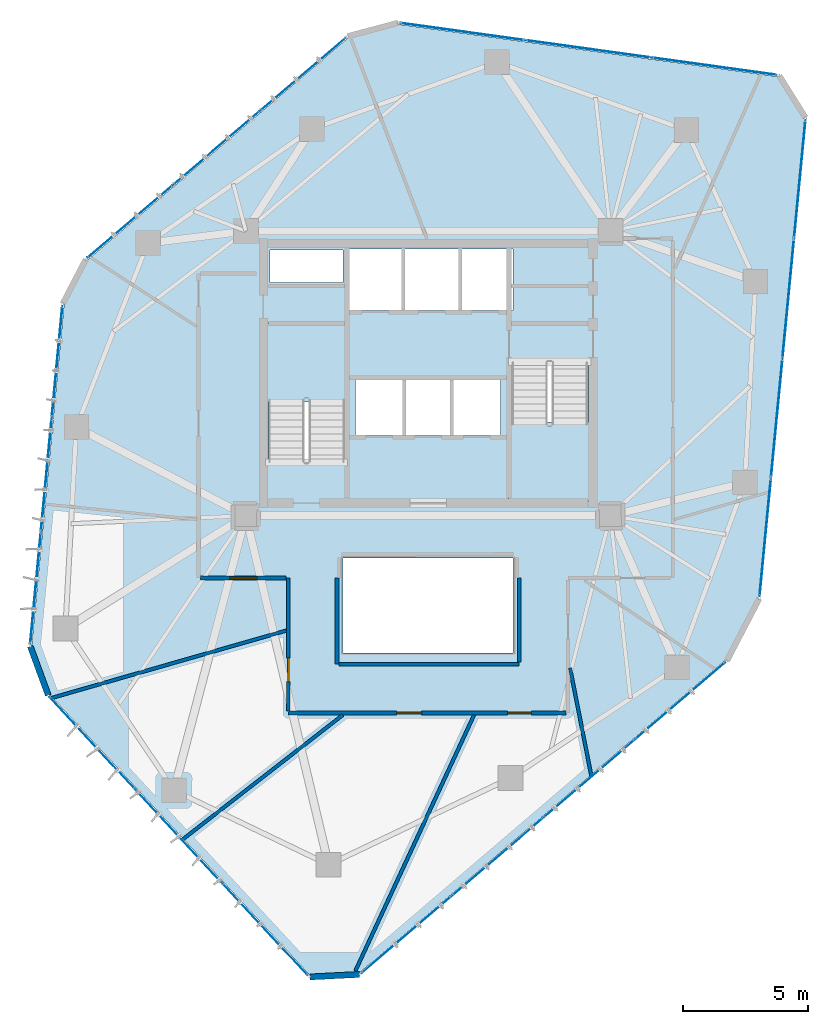
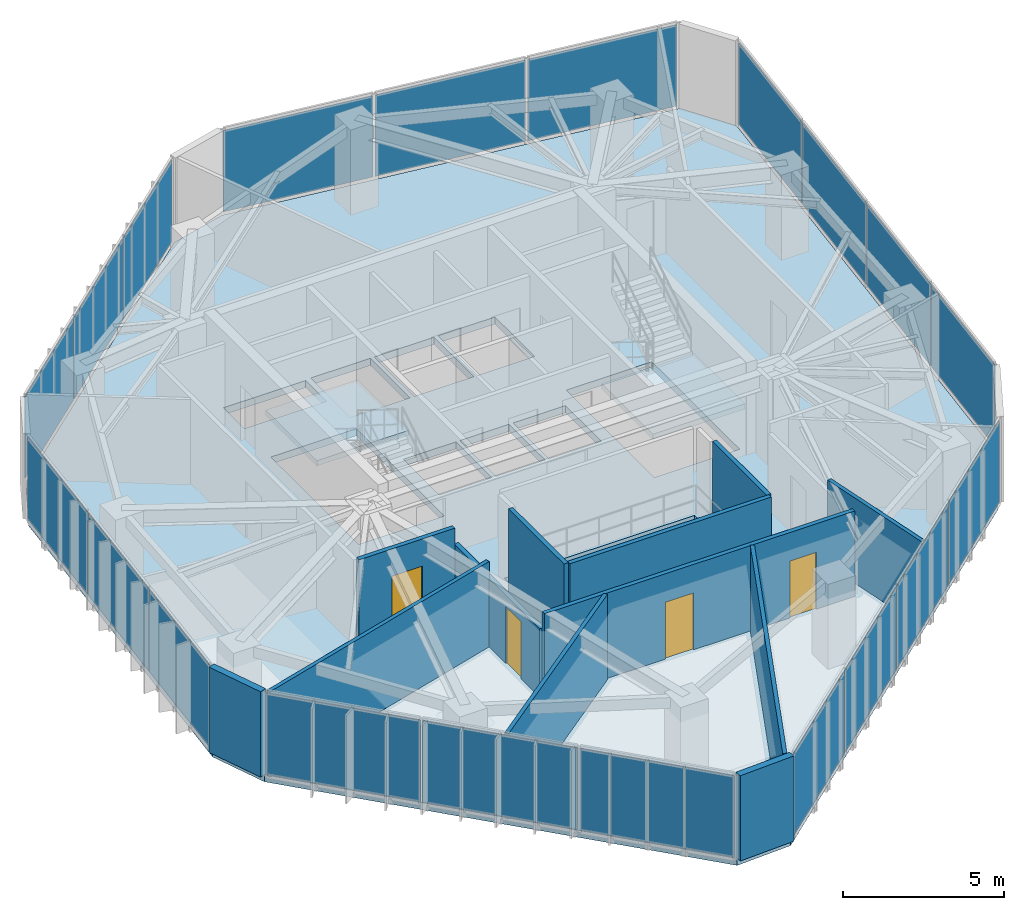
# One storey, part 16 of 21: 20 plates, 12 walls, 4 doors, 3 slabs, 4 openings, 8 elements without a shape of their own.
"""IFC4 building model written with IfcOpenShell, lengths in metres."""

from ifc_helpers import new_model, si_unit, direction, frame, frame_2d, origin, origin_2d, place, context, subcontext, project, spatial, polyline, rectangle, outline, extrude, source, transform, mapped, material, layer, layer_set, type_object, type_shapes, element, fill, aggregate, save


model = new_model("IFC4")

# Units and contexts
model_context = context("Model", 3, precision=1e-05, world=origin(), true_north=direction((0.0, 1.0)))
body_context = subcontext(model_context, "Body", "Model", "MODEL_VIEW")
ifc_project = project(units=[si_unit("LENGTHUNIT", "METRE"), si_unit("AREAUNIT", "SQUARE_METRE"), si_unit("VOLUMEUNIT", "CUBIC_METRE"), si_unit("PLANEANGLEUNIT", "RADIAN"), si_unit("MASSUNIT", "GRAM", prefix="KILO")], contexts=[model_context])

# Site, building, storey
site_placement = place(None, origin())
site = spatial("IfcSite", under=ifc_project, at=site_placement, CompositionType="ELEMENT")
building_placement = place(site_placement, origin())
building = spatial("IfcBuilding", under=site, at=building_placement, Name="Talar Marvaseh", CompositionType="ELEMENT")
storey_placement = place(building_placement, frame((0.0, 0.0, 225.699951171875)))
storey = spatial("IfcBuildingStorey", under=building, at=storey_placement, Name="L59", CompositionType="ELEMENT", Elevation=225.699951171875)

# Stair, slab
ifc_material_1 = material(Name="Concrete C40/50", Category="concrete")
stair_type = type_object("IfcStairType", Name="Reinforced Concrete High-Rise Exit Stair Type C", PredefinedType="HALF_TURN_STAIR", material=ifc_material_1)
stair_1_placement = place(storey_placement, origin())
stair_1 = element("IfcStair", 1, at=stair_1_placement, inside=storey, type_object=stair_type, Name="L59 Tower West Core Exit Stair", PredefinedType="HALF_TURN_STAIR")
ifc_layer_1 = layer(ifc_material_1, 0.199951171875)
ifc_layer_set_1 = layer_set([ifc_layer_1], Name="Concrete C40/50")
slab_type_1 = type_object("IfcSlabType", Name="Reinforced Concrete Stair Half-Landing Slab 200", PredefinedType="LANDING", material=ifc_layer_set_1)
slab_1_placement = place(storey_placement, frame((0.0, 0.0, 1.550048828125)))
slab_1 = element("IfcSlab", 2, at=slab_1_placement, type_object=slab_type_1, Name="ST-1 landing 1", PredefinedType="LANDING", context=body_context, shape_type="SweptSolid", body=[
    extrude(outline(polyline([(22.780029296875, 30.050048828125), (22.780029296875, 33.219970703125), (19.47998046875, 33.219970703125), (19.47998046875, 30.050048828125), (22.780029296875, 30.050048828125)])), origin(), (0.0, 0.0, 1.0), 0.199951171875),
])
aggregate(stair_1, [slab_1])

stair_2_placement = place(storey_placement, origin())
stair_2 = element("IfcStair", 3, at=stair_2_placement, inside=storey, type_object=stair_type, Name="L59 Tower East Core Exit Stair", PredefinedType="HALF_TURN_STAIR")
slab_2_placement = place(storey_placement, frame((0.0, 0.0, 1.550048828125)))
slab_2 = element("IfcSlab", 4, at=slab_2_placement, type_object=slab_type_1, Name="ST-2 landing 1", PredefinedType="LANDING", context=body_context, shape_type="SweptSolid", body=[
    extrude(outline(polyline([(29.219970703125, 29.25), (29.219970703125, 26.080078125), (32.52001953125, 26.080078125), (32.52001953125, 29.25), (29.219970703125, 29.25)])), origin(), (0.0, 0.0, 1.0), 0.199951171875),
])
aggregate(stair_2, [slab_2])

# Slab
ifc_layer_2 = layer(ifc_material_1, 0.27001953125)
ifc_layer_set_2 = layer_set([ifc_layer_2], Name="Concrete C40/50")
slab_type_2 = type_object("IfcSlabType", Name="Structural Suspended Floor Slab 270", PredefinedType="FLOOR", material=ifc_layer_set_2)
slab_3_placement = place(storey_placement, frame((0.0, 0.0, -0.27001953125)))
element("IfcSlab", 5, at=slab_3_placement, inside=storey, type_object=slab_type_2, Name="L59 Tower Floor Slab", PredefinedType="FLOOR", context=body_context, shape_type="SweptSolid", body=[
    extrude(outline(polyline([(23.24560546875, 7.18408203125), (21.2705078125, 7.0830078125), (10.83935546875, 18.329345703125), (10.12060546875, 20.290283203125), (11.420654296875, 33.96044921875), (12.345703125, 35.7373046875), (22.7978515625, 44.642822265625), (24.81640625, 45.178955078125), (40.01171875, 43.0849609375), (41.06201171875, 41.4091796875), (39.21044921875, 22.2099609375), (37.910400390625, 19.712890625), (23.24560546875, 7.18408203125)]), holes=[polyline([(22.659912109375, 27.64990234375), (22.659912109375, 33.10009765625), (19.60009765625, 33.10009765625), (19.60009765625, 27.64990234375), (22.659912109375, 27.64990234375)]), polyline([(29.340087890625, 31.64990234375), (29.340087890625, 26.199951171875), (32.39990234375, 26.199951171875), (32.39990234375, 31.64990234375), (29.340087890625, 31.64990234375)]), polyline([(22.800048828125, 33.719970703125), (24.93994140625, 33.719970703125), (24.93994140625, 36.179931640625), (22.800048828125, 36.179931640625), (22.800048828125, 33.719970703125)]), polyline([(25.080078125, 33.719970703125), (27.219970703125, 33.719970703125), (27.219970703125, 36.179931640625), (25.080078125, 36.179931640625), (25.080078125, 33.719970703125)]), polyline([(27.360107421875, 33.719970703125), (29.39990234375, 33.719970703125), (29.39990234375, 36.179931640625), (27.360107421875, 36.179931640625), (27.360107421875, 33.719970703125)]), polyline([(23.10009765625, 28.719970703125), (24.97998046875, 28.719970703125), (24.97998046875, 30.93994140625), (23.10009765625, 30.93994140625), (23.10009765625, 28.719970703125)]), polyline([(25.1201171875, 28.719970703125), (26.8798828125, 28.719970703125), (26.8798828125, 30.93994140625), (25.1201171875, 30.93994140625), (25.1201171875, 28.719970703125)]), polyline([(27.02001953125, 28.719970703125), (28.89990234375, 28.719970703125), (28.89990234375, 30.93994140625), (27.02001953125, 30.93994140625), (27.02001953125, 28.719970703125)]), polyline([(19.659912109375, 34.840087890625), (22.60009765625, 34.840087890625), (22.60009765625, 36.139892578125), (19.659912109375, 36.139892578125), (19.659912109375, 34.840087890625)]), polyline([(22.60009765625, 20.0), (29.39990234375, 20.0), (29.39990234375, 23.800048828125), (22.60009765625, 23.800048828125), (22.60009765625, 20.0)])]), origin(), (0.0, 0.0, 1.0), 0.27001953125),
])

# Curtain wall, plates
ifc_material_2 = material(Name="Architectural Aluminium", Category="aluminium")
ifc_layer_3 = layer(ifc_material_2, 0.18994140625)
ifc_layer_set_3 = layer_set([ifc_layer_3], Name="Architectural Aluminium")
curtain_wall_type = type_object("IfcCurtainWallType", Name="Unitised Solar Atelier Curtain Wall Z3", PredefinedType="NOTDEFINED", material=ifc_layer_set_3)
curtain_wall_1_placement = place(storey_placement, origin())
curtain_wall_1 = element("IfcCurtainWall", 6, at=curtain_wall_1_placement, inside=storey, type_object=curtain_wall_type, Name="L59 Unitised Solar Atelier Curtain Wall Z3", PredefinedType="NOTDEFINED")
ifc_material_3 = material(Name="Laminated Low-E Solar Glass", Category="glass")
ifc_layer_4 = layer(ifc_material_3, 0.028076171875)
ifc_layer_set_4 = layer_set([ifc_layer_4], Name="Laminated Low-E Solar Glass")
plate_type = type_object("IfcPlateType", Name="Double-Glazed Low-E Vision Curtain Panel 28", PredefinedType="CURTAIN_PANEL", material=ifc_layer_set_4)
shared_shape_1 = source(origin(), body_context, "Body", "SweptSolid", [
    extrude(rectangle(XDim=5.00048828125, YDim=0.028076171875, at=origin_2d()), origin(), (0.0, 0.0, 1.0), 3.080078125),
])
plate_1_placement = place(storey_placement, frame((19.47509765625, 8.930419921875, 0.074951171875), z_axis=(0.0, 0.0, 1.0), x_axis=(-0.680031142944, 0.733183227185, 0.0)))
plate_1 = element("IfcPlate", 7, at=plate_1_placement, type_object=plate_type, Name="CW-Z3 panel 1.1", PredefinedType="CURTAIN_PANEL", context=body_context, shape_type="MappedRepresentation", body=[
    mapped(shared_shape_1, transform((0.0, 0.0, 0.0), x_axis=(1.0, 0.0, 0.0), y_axis=(0.0, 1.0, 0.0), z_axis=(0.0, 0.0, 1.0), scale=1.0)),
])
plate_2_placement = place(storey_placement, frame((12.546630859375, 16.400390625, 0.074951171875), z_axis=(0.0, 0.0, 1.0), x_axis=(-0.680031142944, 0.733183227185, 0.0)))
plate_2 = element("IfcPlate", 8, at=plate_2_placement, type_object=plate_type, Name="CW-Z3 panel 3.1", PredefinedType="CURTAIN_PANEL", context=body_context, shape_type="MappedRepresentation", body=[
    mapped(shared_shape_1, transform((0.0, 0.0, 0.0), x_axis=(1.0, 0.0, 0.0), y_axis=(0.0, 1.0, 0.0), z_axis=(0.0, 0.0, 1.0), scale=1.0)),
])

curtain_wall_2_placement = place(storey_placement, origin())
curtain_wall_2 = element("IfcCurtainWall", 9, at=curtain_wall_2_placement, inside=storey, type_object=curtain_wall_type, Name="L59 Unitised Solar Atelier Curtain Wall Z3", PredefinedType="NOTDEFINED")
plate_3_placement = place(storey_placement, frame((27.375732421875, 44.88671875, 0.074951171875), z_axis=(0.0, 0.0, 1.0), x_axis=(0.990638039953, -0.136514738392, 0.0)))
plate_3 = element("IfcPlate", 10, at=plate_3_placement, type_object=plate_type, Name="CW-Z3 panel 1.1", PredefinedType="CURTAIN_PANEL", context=body_context, shape_type="MappedRepresentation", body=[
    mapped(shared_shape_1, transform((0.0, 0.0, 0.0), x_axis=(1.0, 0.0, 0.0), y_axis=(0.0, 1.0, 0.0), z_axis=(0.0, 0.0, 1.0), scale=1.0)),
])
plate_4_placement = place(storey_placement, frame((37.46875, 43.495849609375, 0.074951171875), z_axis=(0.0, 0.0, 1.0), x_axis=(0.990638039953, -0.136514738392, 0.0)))
plate_4 = element("IfcPlate", 11, at=plate_4_placement, type_object=plate_type, Name="CW-Z3 panel 3.1", PredefinedType="CURTAIN_PANEL", context=body_context, shape_type="MappedRepresentation", body=[
    mapped(shared_shape_1, transform((0.0, 0.0, 0.0), x_axis=(1.0, 0.0, 0.0), y_axis=(0.0, 1.0, 0.0), z_axis=(0.0, 0.0, 1.0), scale=1.0)),
])

# Plate
shared_shape_2 = source(origin(), body_context, "Body", "SweptSolid", [
    extrude(rectangle(XDim=5.0380859375, YDim=0.028076171875, at=origin_2d()), origin(), (0.0, 0.0, 1.0), 3.080078125),
])
plate_5_placement = place(storey_placement, frame((16.010986328125, 12.665283203125, 0.074951171875), z_axis=(0.0, 0.0, 1.0), x_axis=(-0.680031142944, 0.733183227185, 0.0)))
plate_5 = element("IfcPlate", 12, at=plate_5_placement, type_object=plate_type, Name="CW-Z3 panel 2.1", PredefinedType="CURTAIN_PANEL", context=body_context, shape_type="MappedRepresentation", body=[
    mapped(shared_shape_2, transform((0.0, 0.0, 0.0), x_axis=(1.0, 0.0, 0.0), y_axis=(0.0, 1.0, 0.0), z_axis=(0.0, 0.0, 1.0), scale=1.0)),
])

aggregate(curtain_wall_1, [plate_1, plate_5, plate_2])

plate_6_placement = place(storey_placement, frame((32.42236328125, 44.19140625, 0.074951171875), z_axis=(0.0, 0.0, 1.0), x_axis=(0.990638039953, -0.136514738392, 0.0)))
plate_6 = element("IfcPlate", 13, at=plate_6_placement, type_object=plate_type, Name="CW-Z3 panel 2.1", PredefinedType="CURTAIN_PANEL", context=body_context, shape_type="MappedRepresentation", body=[
    mapped(shared_shape_2, transform((0.0, 0.0, 0.0), x_axis=(1.0, 0.0, 0.0), y_axis=(0.0, 1.0, 0.0), z_axis=(0.0, 0.0, 1.0), scale=1.0)),
])

aggregate(curtain_wall_2, [plate_3, plate_6, plate_4])

# Curtain wall, plates
curtain_wall_3_placement = place(storey_placement, origin())
curtain_wall_3 = element("IfcCurtainWall", 14, at=curtain_wall_3_placement, inside=storey, type_object=curtain_wall_type, Name="L59 Unitised Solar Atelier Curtain Wall Z3", PredefinedType="NOTDEFINED")
shared_shape_3 = source(origin(), body_context, "Body", "SweptSolid", [
    extrude(rectangle(XDim=4.46484375, YDim=0.028076171875, at=origin_2d()), origin(), (0.0, 0.0, 1.0), 3.080078125),
])
plate_7_placement = place(storey_placement, frame((10.279541015625, 22.593017578125, 0.074951171875), z_axis=(0.0, 0.0, 1.0), x_axis=(0.094670939239, 0.995508620386, 0.0)))
plate_7 = element("IfcPlate", 15, at=plate_7_placement, type_object=plate_type, Name="CW-Z3 panel 1.1", PredefinedType="CURTAIN_PANEL", context=body_context, shape_type="MappedRepresentation", body=[
    mapped(shared_shape_3, transform((0.0, 0.0, 0.0), x_axis=(1.0, 0.0, 0.0), y_axis=(0.0, 1.0, 0.0), z_axis=(0.0, 0.0, 1.0), scale=1.0)),
])
plate_8_placement = place(storey_placement, frame((11.142578125, 31.669189453125, 0.074951171875), z_axis=(0.0, 0.0, 1.0), x_axis=(0.094670939239, 0.995508620386, 0.0)))
plate_8 = element("IfcPlate", 16, at=plate_8_placement, type_object=plate_type, Name="CW-Z3 panel 3.1", PredefinedType="CURTAIN_PANEL", context=body_context, shape_type="MappedRepresentation", body=[
    mapped(shared_shape_3, transform((0.0, 0.0, 0.0), x_axis=(1.0, 0.0, 0.0), y_axis=(0.0, 1.0, 0.0), z_axis=(0.0, 0.0, 1.0), scale=1.0)),
])
shared_shape_4 = source(origin(), body_context, "Body", "SweptSolid", [
    extrude(rectangle(XDim=4.502197265625, YDim=0.028076171875, at=origin_2d()), origin(), (0.0, 0.0, 1.0), 3.080078125),
])
plate_9_placement = place(storey_placement, frame((10.7109375, 27.131103515625, 0.074951171875), z_axis=(0.0, 0.0, 1.0), x_axis=(0.094670939239, 0.995508620386, 0.0)))
plate_9 = element("IfcPlate", 17, at=plate_9_placement, type_object=plate_type, Name="CW-Z3 panel 2.1", PredefinedType="CURTAIN_PANEL", context=body_context, shape_type="MappedRepresentation", body=[
    mapped(shared_shape_4, transform((0.0, 0.0, 0.0), x_axis=(1.0, 0.0, 0.0), y_axis=(0.0, 1.0, 0.0), z_axis=(0.0, 0.0, 1.0), scale=1.0)),
])
aggregate(curtain_wall_3, [plate_7, plate_9, plate_8])

# Curtain wall, plate
curtain_wall_4_placement = place(storey_placement, origin())
curtain_wall_4 = element("IfcCurtainWall", 18, at=curtain_wall_4_placement, inside=storey, type_object=curtain_wall_type, Name="L59 Unitised Solar Atelier Curtain Wall Z3", PredefinedType="NOTDEFINED")
plate_10_placement = place(storey_placement, frame((17.53271484375, 40.235595703125, 0.074951171875), z_axis=(0.0, 0.0, 1.0), x_axis=(0.761175855066, 0.648545540162, 0.0)))
plate_10 = element("IfcPlate", 19, at=plate_10_placement, type_object=plate_type, Name="CW-Z3 panel 2.1", PredefinedType="CURTAIN_PANEL", context=body_context, shape_type="MappedRepresentation", body=[
    mapped(shared_shape_4, transform((0.0, 0.0, 0.0), x_axis=(1.0, 0.0, 0.0), y_axis=(0.0, 1.0, 0.0), z_axis=(0.0, 0.0, 1.0), scale=1.0)),
])

# Curtain wall, plates
curtain_wall_5_placement = place(storey_placement, origin())
curtain_wall_5 = element("IfcCurtainWall", 20, at=curtain_wall_5_placement, inside=storey, type_object=curtain_wall_type, Name="L59 Unitised Solar Atelier Curtain Wall Z3", PredefinedType="NOTDEFINED")
shared_shape_5 = source(origin(), body_context, "Body", "SweptSolid", [
    extrude(rectangle(XDim=4.70947265625, YDim=0.028076171875, at=origin_2d()), origin(), (0.0, 0.0, 1.0), 3.080078125),
])
plate_11_placement = place(storey_placement, frame((40.888427734375, 38.98486328125, 0.074951171875), z_axis=(0.0, 0.0, 1.0), x_axis=(-0.095996618681, -0.995381660069, 0.0)))
plate_11 = element("IfcPlate", 21, at=plate_11_placement, type_object=plate_type, Name="CW-Z3 panel 1.1", PredefinedType="CURTAIN_PANEL", context=body_context, shape_type="MappedRepresentation", body=[
    mapped(shared_shape_5, transform((0.0, 0.0, 0.0), x_axis=(1.0, 0.0, 0.0), y_axis=(0.0, 1.0, 0.0), z_axis=(0.0, 0.0, 1.0), scale=1.0)),
])
plate_12_placement = place(storey_placement, frame((39.50341796875, 24.622802734375, 0.074951171875), z_axis=(0.0, 0.0, 1.0), x_axis=(-0.095996618681, -0.995381660069, 0.0)))
plate_12 = element("IfcPlate", 22, at=plate_12_placement, type_object=plate_type, Name="CW-Z3 panel 4.1", PredefinedType="CURTAIN_PANEL", context=body_context, shape_type="MappedRepresentation", body=[
    mapped(shared_shape_5, transform((0.0, 0.0, 0.0), x_axis=(1.0, 0.0, 0.0), y_axis=(0.0, 1.0, 0.0), z_axis=(0.0, 0.0, 1.0), scale=1.0)),
])

curtain_wall_6_placement = place(storey_placement, origin())
curtain_wall_6 = element("IfcCurtainWall", 23, at=curtain_wall_6_placement, inside=storey, type_object=curtain_wall_type, Name="L59 Unitised Solar Atelier Curtain Wall Z3", PredefinedType="NOTDEFINED")
plate_13_placement = place(storey_placement, frame((36.10205078125, 18.089111328125, 0.074951171875), z_axis=(0.0, 0.0, 1.0), x_axis=(-0.760306303826, -0.649564719149, 0.0)))
plate_13 = element("IfcPlate", 24, at=plate_13_placement, type_object=plate_type, Name="CW-Z3 panel 1.1", PredefinedType="CURTAIN_PANEL", context=body_context, shape_type="MappedRepresentation", body=[
    mapped(shared_shape_5, transform((0.0, 0.0, 0.0), x_axis=(1.0, 0.0, 0.0), y_axis=(0.0, 1.0, 0.0), z_axis=(0.0, 0.0, 1.0), scale=1.0)),
])
plate_14_placement = place(storey_placement, frame((25.132080078125, 8.716796875, 0.074951171875), z_axis=(0.0, 0.0, 1.0), x_axis=(-0.760306303826, -0.649564719149, 0.0)))
plate_14 = element("IfcPlate", 25, at=plate_14_placement, type_object=plate_type, Name="CW-Z3 panel 4.1", PredefinedType="CURTAIN_PANEL", context=body_context, shape_type="MappedRepresentation", body=[
    mapped(shared_shape_5, transform((0.0, 0.0, 0.0), x_axis=(1.0, 0.0, 0.0), y_axis=(0.0, 1.0, 0.0), z_axis=(0.0, 0.0, 1.0), scale=1.0)),
])

# Plate
shared_shape_6 = source(origin(), body_context, "Body", "SweptSolid", [
    extrude(rectangle(XDim=4.7470703125, YDim=0.028076171875, at=origin_2d()), origin(), (0.0, 0.0, 1.0), 3.080078125),
])
plate_15_placement = place(storey_placement, frame((40.42724609375, 34.20361328125, 0.074951171875), z_axis=(0.0, 0.0, 1.0), x_axis=(-0.095996618681, -0.995381660069, 0.0)))
plate_15 = element("IfcPlate", 26, at=plate_15_placement, type_object=plate_type, Name="CW-Z3 panel 2.1", PredefinedType="CURTAIN_PANEL", context=body_context, shape_type="MappedRepresentation", body=[
    mapped(shared_shape_6, transform((0.0, 0.0, 0.0), x_axis=(1.0, 0.0, 0.0), y_axis=(0.0, 1.0, 0.0), z_axis=(0.0, 0.0, 1.0), scale=1.0)),
])

plate_16_placement = place(storey_placement, frame((39.96435546875, 29.40380859375, 0.074951171875), z_axis=(0.0, 0.0, 1.0), x_axis=(-0.095996618681, -0.995381660069, 0.0)))
plate_16 = element("IfcPlate", 27, at=plate_16_placement, type_object=plate_type, Name="CW-Z3 panel 3.1", PredefinedType="CURTAIN_PANEL", context=body_context, shape_type="MappedRepresentation", body=[
    mapped(shared_shape_6, transform((0.0, 0.0, 0.0), x_axis=(1.0, 0.0, 0.0), y_axis=(0.0, 1.0, 0.0), z_axis=(0.0, 0.0, 1.0), scale=1.0)),
])

aggregate(curtain_wall_5, [plate_11, plate_15, plate_16, plate_12])

plate_17_placement = place(storey_placement, frame((32.4501953125, 14.968994140625, 0.074951171875), z_axis=(0.0, 0.0, 1.0), x_axis=(-0.760306303826, -0.649564719149, 0.0)))
plate_17 = element("IfcPlate", 28, at=plate_17_placement, type_object=plate_type, Name="CW-Z3 panel 2.1", PredefinedType="CURTAIN_PANEL", context=body_context, shape_type="MappedRepresentation", body=[
    mapped(shared_shape_6, transform((0.0, 0.0, 0.0), x_axis=(1.0, 0.0, 0.0), y_axis=(0.0, 1.0, 0.0), z_axis=(0.0, 0.0, 1.0), scale=1.0)),
])

plate_18_placement = place(storey_placement, frame((28.783935546875, 11.836669921875, 0.074951171875), z_axis=(0.0, 0.0, 1.0), x_axis=(-0.760306303826, -0.649564719149, 0.0)))
plate_18 = element("IfcPlate", 29, at=plate_18_placement, type_object=plate_type, Name="CW-Z3 panel 3.1", PredefinedType="CURTAIN_PANEL", context=body_context, shape_type="MappedRepresentation", body=[
    mapped(shared_shape_6, transform((0.0, 0.0, 0.0), x_axis=(1.0, 0.0, 0.0), y_axis=(0.0, 1.0, 0.0), z_axis=(0.0, 0.0, 1.0), scale=1.0)),
])

aggregate(curtain_wall_6, [plate_13, plate_17, plate_18, plate_14])

shared_shape_7 = source(origin(), body_context, "Body", "SweptSolid", [
    extrude(rectangle(XDim=4.464599609375, YDim=0.028076171875, at=origin_2d()), origin(), (0.0, 0.0, 1.0), 3.080078125),
])
type_shapes(plate_type, [shared_shape_1, shared_shape_2, shared_shape_3, shared_shape_4, shared_shape_5, shared_shape_6, shared_shape_7])
plate_19_placement = place(storey_placement, frame((14.06298828125, 37.279296875, 0.074951171875), z_axis=(0.0, 0.0, 1.0), x_axis=(0.761175855066, 0.648545540162, 0.0)))
plate_19 = element("IfcPlate", 30, at=plate_19_placement, type_object=plate_type, Name="CW-Z3 panel 1.1", PredefinedType="CURTAIN_PANEL", context=body_context, shape_type="MappedRepresentation", body=[
    mapped(shared_shape_7, transform((0.0, 0.0, 0.0), x_axis=(1.0, 0.0, 0.0), y_axis=(0.0, 1.0, 0.0), z_axis=(0.0, 0.0, 1.0), scale=1.0)),
])

plate_20_placement = place(storey_placement, frame((21.002685546875, 43.192138671875, 0.074951171875), z_axis=(0.0, 0.0, 1.0), x_axis=(0.761175855066, 0.648545540162, 0.0)))
plate_20 = element("IfcPlate", 31, at=plate_20_placement, type_object=plate_type, Name="CW-Z3 panel 3.1", PredefinedType="CURTAIN_PANEL", context=body_context, shape_type="MappedRepresentation", body=[
    mapped(shared_shape_7, transform((0.0, 0.0, 0.0), x_axis=(1.0, 0.0, 0.0), y_axis=(0.0, 1.0, 0.0), z_axis=(0.0, 0.0, 1.0), scale=1.0)),
])

aggregate(curtain_wall_4, [plate_19, plate_10, plate_20])

# Walls
ifc_material_4 = material(Name="Precast concrete C45/55", Category="concrete")
ifc_layer_5 = layer(ifc_material_4, 0.239990234375)
ifc_layer_set_5 = layer_set([ifc_layer_5], Name="Precast concrete C45/55")
wall_type_1 = type_object("IfcWallType", Name="Chamfered Hexagonal Corner Pier Wall Z3 240", PredefinedType="SOLIDWALL", material=ifc_layer_set_5)
wall_1_placement = place(storey_placement, frame((23.248779296875, 7.1240234375, 0.0), z_axis=(0.0, 0.0, 1.0), x_axis=(-0.998699776406, -0.050978001193, 0.0)))
element("IfcWall", 32, at=wall_1_placement, inside=storey, type_object=wall_type_1, Name="L59 Chamfered Corner Limestone Pier 1", PredefinedType="SOLIDWALL", context=body_context, shape_type="SweptSolid", body=[
    extrude(rectangle(XDim=1.97802734375, YDim=0.239990234375, at=frame_2d((0.989013671875, 0.0))), origin(), (0.0, 0.0, 1.0), 3.22998046875),
])
wall_2_placement = place(storey_placement, frame((10.783203125, 18.30859375, 0.0), z_axis=(0.0, 0.0, 1.0), x_axis=(-0.344106965599, 0.938930453349, 0.0)))
element("IfcWall", 33, at=wall_2_placement, inside=storey, type_object=wall_type_1, Name="L59 Chamfered Corner Limestone Pier 2", PredefinedType="SOLIDWALL", context=body_context, shape_type="SweptSolid", body=[
    extrude(rectangle(XDim=2.088623046875, YDim=0.239990234375, at=frame_2d((1.04443359375, 0.0))), origin(), (0.0, 0.0, 1.0), 3.22998046875),
])

# Wall, openings, doors
ifc_material_5 = material(Name="Gypsum Board Partition Assembly")
ifc_layer_6 = layer(ifc_material_5, 0.155029296875)
ifc_layer_set_6 = layer_set([ifc_layer_6], Name="Gypsum Board Partition Assembly")
wall_type_2 = type_object("IfcWallType", Name="Corridor Fire-Rated Acoustic Partition 155", PredefinedType="PARTITIONING", material=ifc_layer_set_6)
wall_3_placement = place(storey_placement, frame((31.5166015625, 17.60009765625, 0.0), z_axis=(0.0, 0.0, 1.0), x_axis=(-1.0, 0.0, 0.0)))
wall_3 = element("IfcWall", 34, at=wall_3_placement, inside=storey, type_object=wall_type_2, Name="L59 Interior Partition Wall", PredefinedType="PARTITIONING", context=body_context, shape_type="SweptSolid", body=[
    extrude(rectangle(XDim=11.11669921875, YDim=0.155029296875, at=frame_2d((5.558349609375, 0.0))), origin(), (0.0, 0.0, 1.0), 3.22998046875),
])
opening_1_placement = place(wall_3_placement, frame((5.77490234375, 0.0, 0.0)))
opening_1 = element("IfcOpeningElement", 35, at=opening_1_placement, cuts=wall_3, Name="Opening DR-RM100", PredefinedType="OPENING", context=body_context, shape_type="SweptSolid", body=[
    extrude(rectangle(XDim=1.0, YDim=2.14990234375, at=frame_2d((0.5, 1.074951171875))), frame((0.0, 0.08740234375, 0.0), z_axis=(0.0, -1.0, 0.0), x_axis=(1.0, 0.0, 0.0)), (0.0, 0.0, 1.0), 0.175048828125),
])
opening_2_placement = place(wall_3_placement, frame((1.3798828125, 0.0, 0.0)))
opening_2 = element("IfcOpeningElement", 36, at=opening_2_placement, cuts=wall_3, Name="Opening DR-WC095", PredefinedType="OPENING", context=body_context, shape_type="SweptSolid", body=[
    extrude(rectangle(XDim=0.949951171875, YDim=2.14990234375, at=frame_2d((0.47509765625, 1.074951171875))), frame((0.0, 0.08740234375, 0.0), z_axis=(0.0, -1.0, 0.0), x_axis=(1.0, 0.0, 0.0)), (0.0, 0.0, 1.0), 0.175048828125),
])
ifc_material_6 = material(Name="Acoustic Engineered Oak Timber", Category="wood")
door_type_1 = type_object("IfcDoorType", Name="Washroom and Service Room Door 950x2150", OperationType="NOTDEFINED", PredefinedType="DOOR", material=ifc_material_6)
shared_shape_8 = source(origin(), body_context, "Body", "SweptSolid", [
    extrude(rectangle(XDim=0.949951171875, YDim=2.14990234375, at=frame_2d((0.47509765625, 1.074951171875))), frame((0.0, 0.02490234375, 0.0), z_axis=(0.0, -1.0, 0.0), x_axis=(1.0, 0.0, 0.0)), (0.0, 0.0, 1.0), 0.050048828125),
])
type_shapes(door_type_1, [shared_shape_8])
door_1_placement = place(opening_2_placement, origin())
door_1 = element("IfcDoor", 37, at=door_1_placement, inside=storey, type_object=door_type_1, Name="L59 Collection Conservation Store Door", OperationType="SINGLE_SWING_LEFT", OverallHeight=2.14990234375, OverallWidth=0.949951171875, PredefinedType="DOOR", context=body_context, shape_type="MappedRepresentation", body=[
    mapped(shared_shape_8, transform((0.0, 0.0, 0.0), x_axis=(1.0, 0.0, 0.0), y_axis=(0.0, 1.0, 0.0), z_axis=(0.0, 0.0, 1.0), scale=1.0)),
])
fill(opening_2, door_1)
door_type_2 = type_object("IfcDoorType", Name="Corridor Fire-Rated Gallery Door 1000x2150", OperationType="NOTDEFINED", PredefinedType="DOOR", material=ifc_material_6)
shared_shape_9 = source(origin(), body_context, "Body", "SweptSolid", [
    extrude(rectangle(XDim=1.0, YDim=2.14990234375, at=frame_2d((0.5, 1.074951171875))), frame((0.0, 0.02490234375, 0.0), z_axis=(0.0, -1.0, 0.0), x_axis=(1.0, 0.0, 0.0)), (0.0, 0.0, 1.0), 0.050048828125),
])
type_shapes(door_type_2, [shared_shape_9])
door_2_placement = place(opening_1_placement, origin())
door_2 = element("IfcDoor", 38, at=door_2_placement, inside=storey, type_object=door_type_2, Name="L59 Visitor Orientation Foyer Door", OperationType="SINGLE_SWING_RIGHT", OverallHeight=2.14990234375, OverallWidth=1.0, PredefinedType="DOOR", context=body_context, shape_type="MappedRepresentation", body=[
    mapped(shared_shape_9, transform((0.0, 0.0, 0.0), x_axis=(1.0, 0.0, 0.0), y_axis=(0.0, 1.0, 0.0), z_axis=(0.0, 0.0, 1.0), scale=1.0)),
])
fill(opening_1, door_2)

# Wall, opening, door
wall_4_placement = place(storey_placement, frame((20.39990234375, 17.68359375, 0.0), z_axis=(0.0, 0.0, 1.0), x_axis=(0.0, 1.0, 0.0)))
wall_4 = element("IfcWall", 39, at=wall_4_placement, inside=storey, type_object=wall_type_2, Name="L59 Interior Partition Wall", PredefinedType="PARTITIONING", context=body_context, shape_type="SweptSolid", body=[
    extrude(rectangle(XDim=5.31640625, YDim=0.155029296875, at=frame_2d((2.658203125, 0.0))), origin(), (0.0, 0.0, 1.0), 2.589111328125),
])
opening_3_placement = place(wall_4_placement, frame((1.17041015625, 0.0, 0.0)))
opening_3 = element("IfcOpeningElement", 40, at=opening_3_placement, cuts=wall_4, Name="Opening DR-WC095", PredefinedType="OPENING", context=body_context, shape_type="SweptSolid", body=[
    extrude(rectangle(XDim=0.949951171875, YDim=2.14990234375, at=frame_2d((0.47509765625, 1.074951171875))), frame((0.0, 0.08740234375, 0.0), z_axis=(0.0, -1.0, 0.0), x_axis=(1.0, 0.0, 0.0)), (0.0, 0.0, 1.0), 0.175048828125),
])
door_3_placement = place(opening_3_placement, origin())
door_3 = element("IfcDoor", 41, at=door_3_placement, inside=storey, type_object=door_type_1, Name="L59 Rare Books Archive Room Door", OperationType="SINGLE_SWING_LEFT", OverallHeight=2.14990234375, OverallWidth=0.949951171875, PredefinedType="DOOR", context=body_context, shape_type="MappedRepresentation", body=[
    mapped(shared_shape_8, transform((0.0, 0.0, 0.0), x_axis=(1.0, 0.0, 0.0), y_axis=(0.0, 1.0, 0.0), z_axis=(0.0, 0.0, 1.0), scale=1.0)),
])
fill(opening_3, door_3)

wall_5_placement = place(storey_placement, frame((20.31640625, 23.0, 0.0), z_axis=(0.0, 0.0, 1.0), x_axis=(-1.0, 0.0, 0.0)))
wall_5 = element("IfcWall", 42, at=wall_5_placement, inside=storey, type_object=wall_type_2, Name="L59 Interior Partition Wall", PredefinedType="PARTITIONING", context=body_context, shape_type="SweptSolid", body=[
    extrude(rectangle(XDim=3.432861328125, YDim=0.155029296875, at=frame_2d((1.71630859375, 0.0))), origin(), (0.0, 0.0, 1.0), 3.22998046875),
])
opening_4_placement = place(wall_5_placement, frame((1.16650390625, 0.0, 0.0)))
opening_4 = element("IfcOpeningElement", 43, at=opening_4_placement, cuts=wall_5, Name="Opening DR-RM110", PredefinedType="OPENING", context=body_context, shape_type="SweptSolid", body=[
    extrude(rectangle(XDim=1.10009765625, YDim=2.199951171875, at=frame_2d((0.550048828125, 1.10009765625))), frame((0.0, 0.08740234375, 0.0), z_axis=(0.0, -1.0, 0.0), x_axis=(1.0, 0.0, 0.0)), (0.0, 0.0, 1.0), 0.175048828125),
])
door_type_3 = type_object("IfcDoorType", Name="Assembly and Reading Hall Door 1100x2200", OperationType="NOTDEFINED", PredefinedType="DOOR", material=ifc_material_6)
shared_shape_10 = source(origin(), body_context, "Body", "SweptSolid", [
    extrude(rectangle(XDim=1.10009765625, YDim=2.199951171875, at=frame_2d((0.550048828125, 1.10009765625))), frame((0.0, 0.02490234375, 0.0), z_axis=(0.0, -1.0, 0.0), x_axis=(1.0, 0.0, 0.0)), (0.0, 0.0, 1.0), 0.050048828125),
])
type_shapes(door_type_3, [shared_shape_10])
door_4_placement = place(opening_4_placement, origin())
door_4 = element("IfcDoor", 44, at=door_4_placement, inside=storey, type_object=door_type_3, Name="L59 Gallery Concierge Reception Door", OperationType="SINGLE_SWING_RIGHT", OverallHeight=2.199951171875, OverallWidth=1.10009765625, PredefinedType="DOOR", context=body_context, shape_type="MappedRepresentation", body=[
    mapped(shared_shape_10, transform((0.0, 0.0, 0.0), x_axis=(1.0, 0.0, 0.0), y_axis=(0.0, 1.0, 0.0), z_axis=(0.0, 0.0, 1.0), scale=1.0)),
])
fill(opening_4, door_4)

# Walls
wall_6_placement = place(storey_placement, frame((22.35009765625, 23.0, 0.0), z_axis=(0.0, 0.0, 1.0), x_axis=(0.0, -1.0, 0.0)))
element("IfcWall", 45, at=wall_6_placement, inside=storey, type_object=wall_type_2, Name="L59 Interior Partition Wall", PredefinedType="PARTITIONING", context=body_context, shape_type="SweptSolid", body=[
    extrude(rectangle(XDim=3.449951171875, YDim=0.155029296875, at=frame_2d((1.72509765625, 0.0))), origin(), (0.0, 0.0, 1.0), 3.22998046875),
])
wall_7_placement = place(storey_placement, frame((22.43359375, 19.550048828125, 0.0), z_axis=(0.0, 0.0, 1.0), x_axis=(1.0, 0.0, 0.0)))
element("IfcWall", 46, at=wall_7_placement, inside=storey, type_object=wall_type_2, Name="L59 Interior Partition Wall", PredefinedType="PARTITIONING", context=body_context, shape_type="SweptSolid", body=[
    extrude(rectangle(XDim=7.21630859375, YDim=0.155029296875, at=frame_2d((3.608154296875, 0.0))), origin(), (0.0, 0.0, 1.0), 3.22998046875),
])
wall_8_placement = place(storey_placement, frame((29.64990234375, 19.633544921875, 0.0), z_axis=(0.0, 0.0, 1.0), x_axis=(0.0, 1.0, 0.0)))
element("IfcWall", 47, at=wall_8_placement, inside=storey, type_object=wall_type_2, Name="L59 Interior Partition Wall", PredefinedType="PARTITIONING", context=body_context, shape_type="SweptSolid", body=[
    extrude(rectangle(XDim=3.366455078125, YDim=0.155029296875, at=frame_2d((1.68310546875, 0.0))), origin(), (0.0, 0.0, 1.0), 3.22998046875),
])
ifc_layer_7 = layer(ifc_material_5, 0.135009765625)
ifc_layer_set_7 = layer_set([ifc_layer_7], Name="Gypsum Board Partition Assembly")
wall_type_3 = type_object("IfcWallType", Name="Gallery High-Acoustic Partition 135", PredefinedType="PARTITIONING", material=ifc_layer_set_7)
wall_9_placement = place(storey_placement, frame((20.31640625, 20.89599609375, 0.0), z_axis=(0.0, 0.0, 1.0), x_axis=(-0.961169125052, -0.275959984504, 0.0)))
element("IfcWall", 48, at=wall_9_placement, inside=storey, type_object=wall_type_3, Name="L59 Interior Partition Wall", PredefinedType="PARTITIONING", context=body_context, shape_type="SweptSolid", body=[
    extrude(rectangle(XDim=9.78466796875, YDim=0.135009765625, at=frame_2d((4.892333984375, 0.0))), origin(), (0.0, 0.0, 1.0), 3.22998046875),
])
wall_10_placement = place(storey_placement, frame((22.58251953125, 17.5166015625, 0.0), z_axis=(0.0, 0.0, 1.0), x_axis=(-0.789481671942, -0.613774135711, 0.0)))
element("IfcWall", 49, at=wall_10_placement, inside=storey, type_object=wall_type_3, Name="L59 Interior Partition Wall", PredefinedType="PARTITIONING", context=body_context, shape_type="SweptSolid", body=[
    extrude(rectangle(XDim=8.122802734375, YDim=0.135009765625, at=frame_2d((4.0615234375, 0.0))), origin(), (0.0, 0.0, 1.0), 3.22998046875),
])
wall_11_placement = place(storey_placement, frame((27.84130859375, 17.5166015625, 0.0), z_axis=(0.0, 0.0, 1.0), x_axis=(-0.420896090389, -0.907108858459, 0.0)))
element("IfcWall", 50, at=wall_11_placement, inside=storey, type_object=wall_type_3, Name="L59 Interior Partition Wall", PredefinedType="PARTITIONING", context=body_context, shape_type="SweptSolid", body=[
    extrude(rectangle(XDim=11.29931640625, YDim=0.135009765625, at=frame_2d((5.649658203125, 0.0))), origin(), (0.0, 0.0, 1.0), 3.22998046875),
])
wall_12_placement = place(storey_placement, frame((31.68359375, 19.406982421875, 0.0), z_axis=(0.0, 0.0, 1.0), x_axis=(0.19361763199, -0.981077067606, 0.0)))
element("IfcWall", 51, at=wall_12_placement, inside=storey, type_object=wall_type_3, Name="L59 Interior Partition Wall", PredefinedType="PARTITIONING", context=body_context, shape_type="SweptSolid", body=[
    extrude(rectangle(XDim=4.4169921875, YDim=0.135009765625, at=frame_2d((2.20849609375, 0.0))), origin(), (0.0, 0.0, 1.0), 3.22998046875),
])

save(model, "model.ifc")
